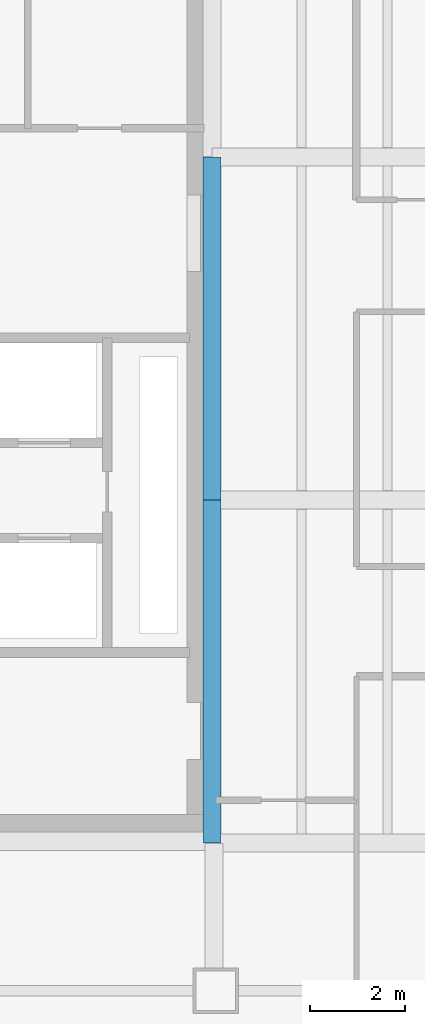
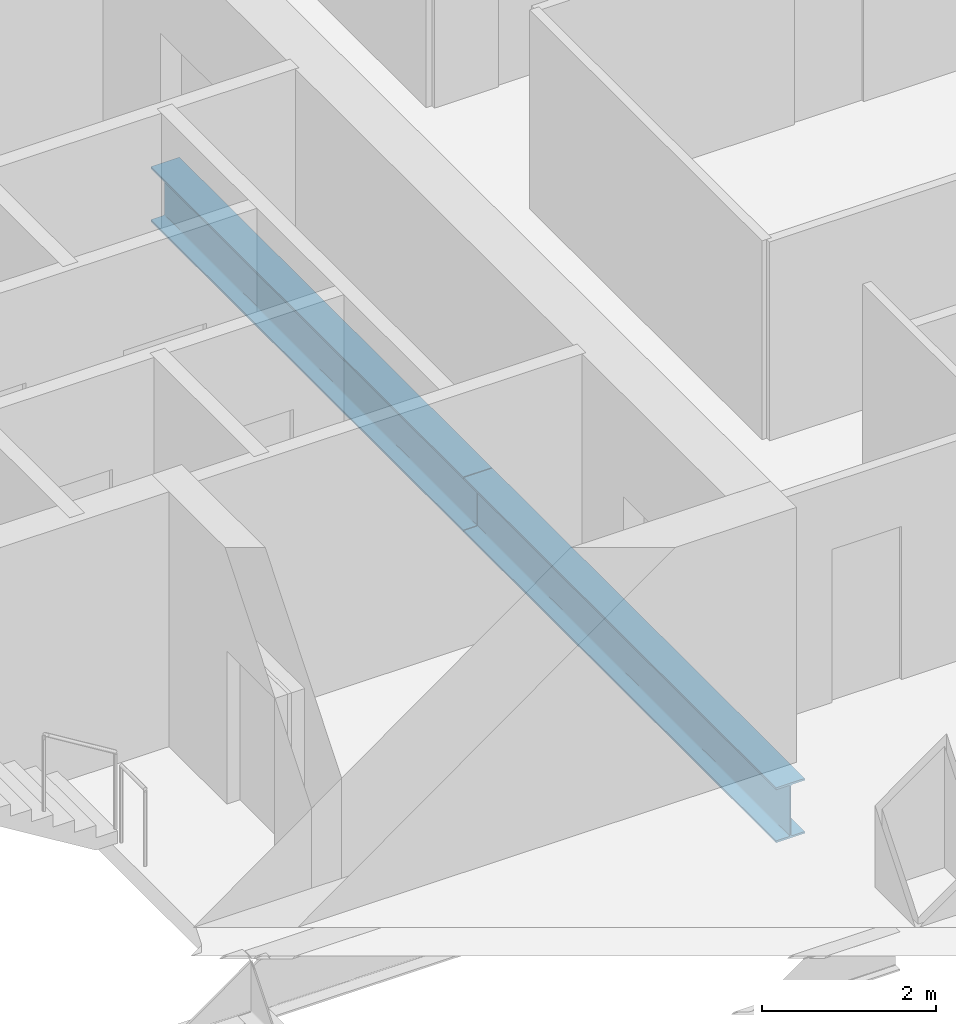
# One storey, part 3 of 23: 2 beams.
"""IFC4 building model written with IfcOpenShell, lengths in metres."""

from ifc_helpers import new_model, si_unit, direction, frame, origin, origin_2d, place, context, subcontext, project, spatial, i_section, extrude, material, material_profile, profile_set, type_object, element, save


model = new_model("IFC4")

# Units and contexts
model_context = context("Model", 3, precision=1e-05, world=origin(), true_north=direction((0.0, 1.0)))
body_context = subcontext(model_context, "Body", "Model", "MODEL_VIEW")
ifc_project = project(units=[si_unit("LENGTHUNIT", "METRE"), si_unit("AREAUNIT", "SQUARE_METRE"), si_unit("VOLUMEUNIT", "CUBIC_METRE"), si_unit("PLANEANGLEUNIT", "RADIAN"), si_unit("MASSUNIT", "GRAM", prefix="KILO")], contexts=[model_context])

# Site, building, storey
site_placement = place(None, origin())
site = spatial("IfcSite", under=ifc_project, at=site_placement, CompositionType="ELEMENT")
building_placement = place(site_placement, origin())
building = spatial("IfcBuilding", under=site, at=building_placement, Name="Cobrela Telecom Tower", CompositionType="ELEMENT")
storey_placement = place(building_placement, frame((0.0, 0.0, 109.89990234375)))
storey = spatial("IfcBuildingStorey", under=building, at=storey_placement, Name="L27", CompositionType="ELEMENT", Elevation=109.89990234375)

# Beams
ifc_material = material(Name="Steel ASTM A992 Grade 50", Category="steel")
ifc_material_profile = material_profile(ifc_material, i_section(OverallWidth=0.381103515625, OverallDepth=0.77197265625, WebThickness=0.0166015625, FlangeThickness=0.027099609375, FilletRadius=0.01904296875, at=origin_2d()), Name="W30X173")
ifc_profile_set = profile_set([ifc_material_profile], Name="Steel ASTM A992 Grade 50")
beam_type = type_object("IfcBeamType", Name="BM-GIRD-04", PredefinedType="USERDEFINED", material=ifc_profile_set)
for number, where, z_axis, x_axis, name in (
    (1, (14.320068359375, 7.205078125, -0.656005859375), (0.0, 1.0, 0.0), (-1.0, 0.0, 0.0), "L27 Primary Girder Y34"),
    (2, (14.320068359375, 14.405029296875, -0.656005859375), (0.0, 1.0, 0.0), (-1.0, 0.0, 0.0), "L27 Primary Girder Y35"),
):
    element("IfcBeam", number, at=place(storey_placement, frame(where, z_axis=z_axis, x_axis=x_axis)), inside=storey, type_object=beam_type, Name=name, ObjectType="GIRDER", PredefinedType="USERDEFINED", context=body_context, shape_type="SweptSolid", body=[
        extrude(i_section(OverallWidth=0.381103515625, OverallDepth=0.77197265625, WebThickness=0.0166015625, FlangeThickness=0.027099609375, FilletRadius=0.01904296875, at=origin_2d()), origin(), (0.0, 0.0, 1.0), 7.18994140625),
    ])

save(model, "model.ifc")
